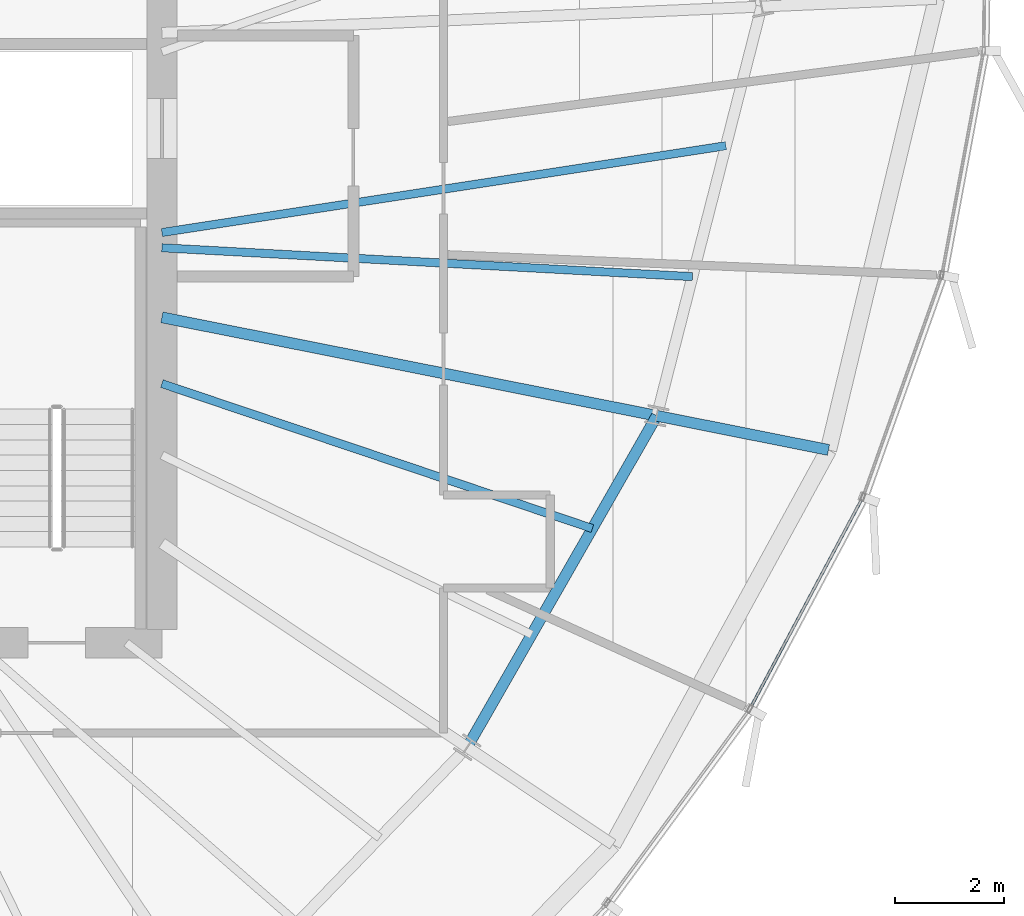
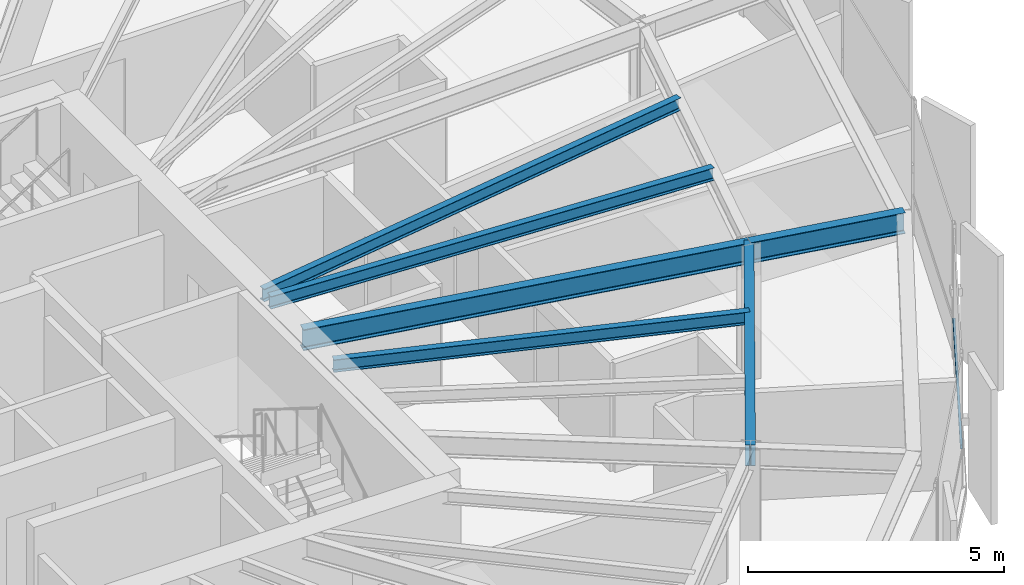
# One storey, part 17 of 37: 6 beams, 1 member, 1 element without a shape of its own.
"""IFC4 building model written with IfcOpenShell, lengths in metres."""

from ifc_helpers import new_model, si_unit, direction, frame, origin, origin_2d, place, context, subcontext, project, spatial, hollow_rectangle, i_section, extrude, source, transform, mapped, material, layer, layer_set, material_profile, profile_set, type_object, element, aggregate, save


model = new_model("IFC4")

# Units and contexts
model_context = context("Model", 3, precision=1e-05, world=origin(), true_north=direction((0.0, 1.0)))
body_context = subcontext(model_context, "Body", "Model", "MODEL_VIEW")
ifc_project = project(units=[si_unit("LENGTHUNIT", "METRE"), si_unit("AREAUNIT", "SQUARE_METRE"), si_unit("VOLUMEUNIT", "CUBIC_METRE"), si_unit("PLANEANGLEUNIT", "RADIAN"), si_unit("MASSUNIT", "GRAM", prefix="KILO"), si_unit("THERMODYNAMICTEMPERATUREUNIT", "KELVIN")], contexts=[model_context])

# Site, building, storey
site_placement = place(None, origin())
site = spatial("IfcSite", under=ifc_project, at=site_placement, CompositionType="ELEMENT")
building_placement = place(site_placement, origin())
building = spatial("IfcBuilding", under=site, at=building_placement, Name="Kethvar Cultural Tower", CompositionType="ELEMENT")
storey_placement = place(building_placement, frame((0.0, 0.0, 200.89990234375)))
storey = spatial("IfcBuildingStorey", under=building, at=storey_placement, Name="L52", CompositionType="ELEMENT", Elevation=200.89990234375)

# Beams
ifc_material_1 = material(Name="Steel S355J2", Category="steel")
ifc_material_profile_1 = material_profile(ifc_material_1, i_section(OverallWidth=0.199951171875, OverallDepth=0.5, WebThickness=0.01025390625, FlangeThickness=0.01611328125, FilletRadius=0.02099609375, at=origin_2d()), Name="Steel S355J2 — IPE500")
ifc_profile_set_1 = profile_set([ifc_material_profile_1], Name="Steel S355J2 — IPE500")
beam_type_1 = type_object("IfcBeamType", Name="BM-IPE500", PredefinedType="BEAM", material=ifc_profile_set_1)
shared_shape_1 = source(origin(), body_context, "Body", "SweptSolid", [
    extrude(i_section(OverallWidth=0.199951171875, OverallDepth=0.5, WebThickness=0.01025390625, FlangeThickness=0.01611328125, FilletRadius=0.02099609375, at=origin_2d()), origin(), (0.0, 0.0, 1.0), 3.199951171875),
])
beam_1_placement = place(storey_placement, frame((64.648681640625, 24.249755859375, 3.008056640625), z_axis=(0.980785550224, -0.195088965533, 0.0), x_axis=(0.195088965533, 0.980785550224, 0.0)))
element("IfcBeam", 1, at=beam_1_placement, inside=storey, type_object=beam_type_1, Name="L52 Perimeter Cantilever Beam RC-16", PredefinedType="BEAM", context=body_context, shape_type="MappedRepresentation", body=[
    mapped(shared_shape_1, transform((0.0, 0.0, 0.0), scale=1.0)),
])
shared_shape_2 = source(origin(), body_context, "Body", "SweptSolid", [
    extrude(i_section(OverallWidth=0.199951171875, OverallDepth=0.5, WebThickness=0.01025390625, FlangeThickness=0.01611328125, FilletRadius=0.02099609375, at=origin_2d()), origin(), (0.0, 0.0, 1.0), 9.225830078125),
])
beam_2_placement = place(storey_placement, frame((55.60009765625, 26.049560546875, 3.008056640625), z_axis=(0.980786744069, -0.195082963529, 0.0), x_axis=(0.195082963529, 0.980786744069, 0.0)))
element("IfcBeam", 2, at=beam_2_placement, inside=storey, type_object=beam_type_1, Name="L52 Primary Radial Beam RB-16", PredefinedType="BEAM", context=body_context, shape_type="MappedRepresentation", body=[
    mapped(shared_shape_2, transform((0.0, 0.0, 0.0), scale=1.0)),
])
shared_shape_3 = source(origin(), body_context, "Body", "SweptSolid", [
    extrude(i_section(OverallWidth=0.199951171875, OverallDepth=0.5, WebThickness=0.01025390625, FlangeThickness=0.01611328125, FilletRadius=0.02099609375, at=origin_2d()), origin(), (0.0, 0.0, 1.0), 6.98095703125),
])
beam_3_placement = place(storey_placement, frame((61.1826171875, 18.18994140625, 3.008056640625), z_axis=(0.496496686118, 0.868038617041, 0.0), x_axis=(-0.868038617041, 0.496496686118, 0.0)))
element("IfcBeam", 3, at=beam_3_placement, inside=storey, type_object=beam_type_1, Name="L52 Column Ring Tie Beam CR-15", PredefinedType="BEAM", context=body_context, shape_type="MappedRepresentation", body=[
    mapped(shared_shape_3, transform((0.0, 0.0, 0.0), scale=1.0)),
])
ifc_material_profile_2 = material_profile(ifc_material_1, i_section(OverallWidth=0.14990234375, OverallDepth=0.300048828125, WebThickness=0.007080078125, FlangeThickness=0.0107421875, FilletRadius=0.014892578125, at=origin_2d()), Name="Steel S355J2 — IPE300")
ifc_profile_set_2 = profile_set([ifc_material_profile_2], Name="Steel S355J2 — IPE300")
beam_type_2 = type_object("IfcBeamType", Name="BM-J300", PredefinedType="JOIST", material=ifc_profile_set_2)
shared_shape_4 = source(origin(), body_context, "Body", "SweptSolid", [
    extrude(i_section(OverallWidth=0.14990234375, OverallDepth=0.300048828125, WebThickness=0.007080078125, FlangeThickness=0.0107421875, FilletRadius=0.014892578125, at=origin_2d()), origin(), (0.0, 0.0, 1.0), 8.303955078125),
])
beam_4_placement = place(storey_placement, frame((55.60009765625, 24.838134765625, 3.108154296875), z_axis=(0.94776496661, -0.318969540971, 0.0), x_axis=(0.318969540971, 0.94776496661, 0.0)))
element("IfcBeam", 4, at=beam_4_placement, inside=storey, type_object=beam_type_2, Name="L52 Composite Floor Joist J-15B", PredefinedType="JOIST", context=body_context, shape_type="MappedRepresentation", body=[
    mapped(shared_shape_4, transform((0.0, 0.0, 0.0), scale=1.0)),
])
shared_shape_5 = source(origin(), body_context, "Body", "SweptSolid", [
    extrude(i_section(OverallWidth=0.14990234375, OverallDepth=0.300048828125, WebThickness=0.007080078125, FlangeThickness=0.0107421875, FilletRadius=0.014892578125, at=origin_2d()), origin(), (0.0, 0.0, 1.0), 9.714111328125),
])
beam_5_placement = place(storey_placement, frame((55.60009765625, 27.3212890625, 3.108154296875), z_axis=(0.998522658081, -0.054336923906, 0.0), x_axis=(0.054336923906, 0.998522658081, 0.0)))
element("IfcBeam", 5, at=beam_5_placement, inside=storey, type_object=beam_type_2, Name="L52 Composite Floor Joist J-16A", PredefinedType="JOIST", context=body_context, shape_type="MappedRepresentation", body=[
    mapped(shared_shape_5, transform((0.0, 0.0, 0.0), scale=1.0)),
])
shared_shape_6 = source(origin(), body_context, "Body", "SweptSolid", [
    extrude(i_section(OverallWidth=0.14990234375, OverallDepth=0.300048828125, WebThickness=0.007080078125, FlangeThickness=0.0107421875, FilletRadius=0.014892578125, at=origin_2d()), origin(), (0.0, 0.0, 1.0), 10.43408203125),
])
beam_6_placement = place(storey_placement, frame((55.60009765625, 27.60009765625, 3.108154296875), z_axis=(0.988359792691, 0.152134546343, 0.0), x_axis=(-0.152134546343, 0.988359792691, 0.0)))
element("IfcBeam", 6, at=beam_6_placement, inside=storey, type_object=beam_type_2, Name="L52 Composite Floor Joist J-16B", PredefinedType="JOIST", context=body_context, shape_type="MappedRepresentation", body=[
    mapped(shared_shape_6, transform((0.0, 0.0, 0.0), scale=1.0)),
])

# Curtain wall, member
ifc_material_2 = material(Name="Aluminium 6063-T6", Category="aluminium")
ifc_layer = layer(ifc_material_2, 0.179931640625, Name="Aluminium 6063-T6", Category="aluminium")
ifc_layer_set = layer_set([ifc_layer], Name="Aluminium 6063-T6 (180 mm)")
curtain_wall_type = type_object("IfcCurtainWallType", Name="CW-SYS-04-Z34", PredefinedType="NOTDEFINED", material=ifc_layer_set)
curtain_wall_placement = place(storey_placement, origin())
curtain_wall = element("IfcCurtainWall", 7, at=curtain_wall_placement, inside=storey, type_object=curtain_wall_type, Name="L52 Curtain Wall Run 06", PredefinedType="NOTDEFINED")
ifc_material_profile_3 = material_profile(ifc_material_2, hollow_rectangle(XDim=0.050048828125, YDim=0.10009765625, WallThickness=0.00390625, at=origin_2d()), Name="Aluminium 6063-T6 — RHS100x50x4")
ifc_profile_set_3 = profile_set([ifc_material_profile_3], Name="Aluminium 6063-T6 — RHS100x50x4")
member_type = type_object("IfcMemberType", Name="CW-SYS-04-Z34-TRN", PredefinedType="USERDEFINED", material=ifc_profile_set_3)
shared_shape_7 = source(origin(), body_context, "Body", "SweptSolid", [
    extrude(hollow_rectangle(XDim=0.050048828125, YDim=0.10009765625, WallThickness=0.00390625, at=origin_2d()), origin(), (0.0, 0.0, 1.0), 4.323486328125),
])
member_placement = place(storey_placement, frame((66.368896484375, 18.92578125, 0.9501953125), z_axis=(0.470728914322, 0.882277897956, 0.0), x_axis=(-0.882277897956, 0.470728914322, 0.0)))
member = element("IfcMember", 8, at=member_placement, type_object=member_type, Name="CW-L52-R06 Transom 2", ObjectType="TRANSOM", PredefinedType="USERDEFINED", context=body_context, shape_type="MappedRepresentation", body=[
    mapped(shared_shape_7, transform((0.0, 0.0, 0.0), scale=1.0)),
])
aggregate(curtain_wall, [member])

save(model, "model.ifc")
